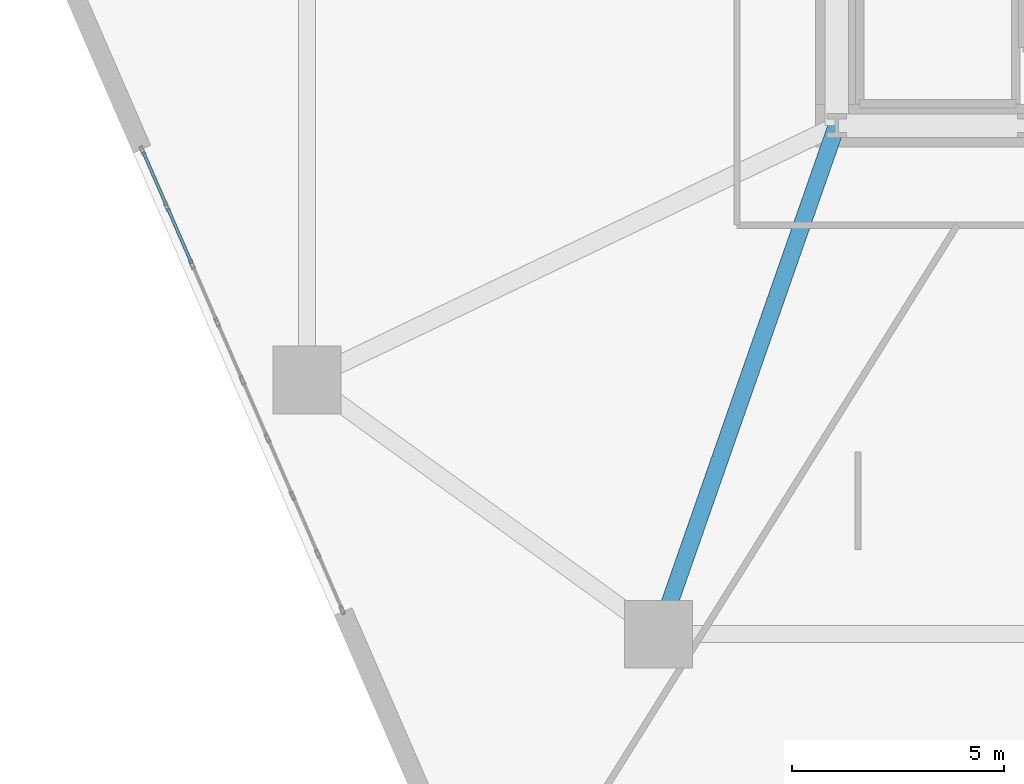
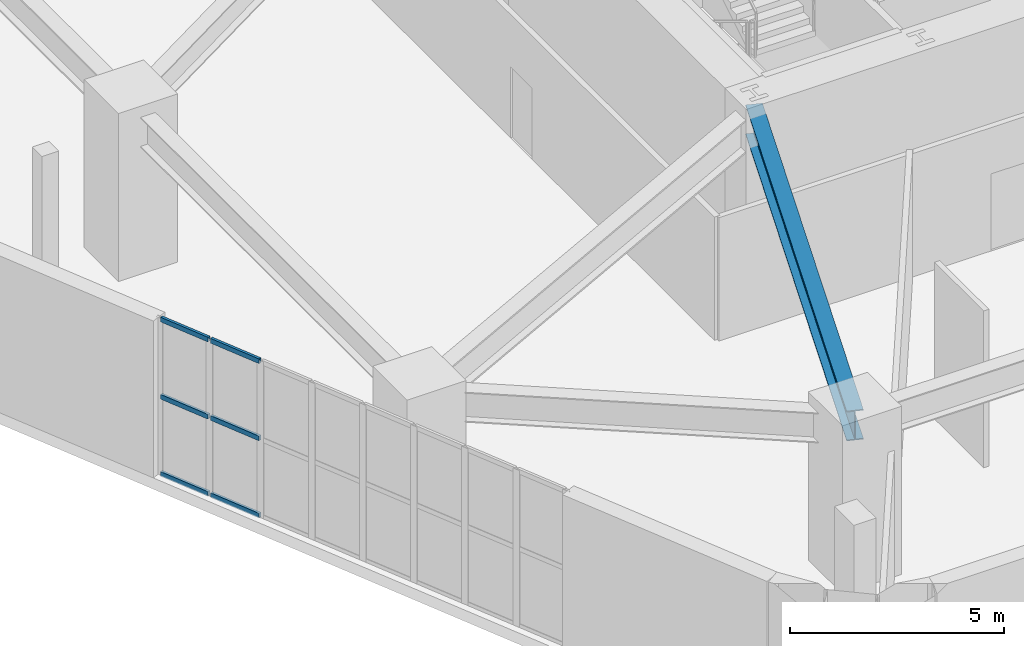
# One storey, part 6 of 17: 6 members, 1 beam, 1 element without a shape of its own.
"""IFC4 building model written with IfcOpenShell, lengths in metres."""

from ifc_helpers import new_model, si_unit, direction, frame, origin, origin_2d, place, context, subcontext, project, spatial, hollow_rectangle, i_section, extrude, material, layer, layer_set, material_profile, profile_set, type_object, element, aggregate, save


model = new_model("IFC4")

# Units and contexts
model_context = context("Model", 3, precision=1e-05, world=origin(), true_north=direction((0.0, 1.0)))
body_context = subcontext(model_context, "Body", "Model", "MODEL_VIEW")
ifc_project = project(units=[si_unit("LENGTHUNIT", "METRE"), si_unit("AREAUNIT", "SQUARE_METRE"), si_unit("VOLUMEUNIT", "CUBIC_METRE"), si_unit("PLANEANGLEUNIT", "RADIAN"), si_unit("MASSUNIT", "GRAM", prefix="KILO")], contexts=[model_context])

# Site, building, storey
site_placement = place(None, origin())
site = spatial("IfcSite", under=ifc_project, at=site_placement, CompositionType="ELEMENT")
building_placement = place(site_placement, origin())
building = spatial("IfcBuilding", under=site, at=building_placement, Name="Kilnhurst Terrace Hotel", CompositionType="ELEMENT")
storey_placement = place(building_placement, frame((0.0, 0.0, 18.60009765625)))
storey = spatial("IfcBuildingStorey", under=building, at=storey_placement, Name="L03", CompositionType="ELEMENT", Elevation=18.60009765625)

# Beam
ifc_material_1 = material(Name="Steel ASTM A992 Grade 50", Category="steel")
ifc_material_profile_1 = material_profile(ifc_material_1, i_section(OverallWidth=0.39990234375, OverallDepth=0.85546875, WebThickness=0.018310546875, FlangeThickness=0.029296875, at=origin_2d()), Name="W33X201")
ifc_profile_set_1 = profile_set([ifc_material_profile_1], Name="Steel ASTM A992 Grade 50")
beam_type = type_object("IfcBeamType", Name="BM-STL-W33X201", PredefinedType="BEAM", material=ifc_profile_set_1)
beam_placement = place(storey_placement, frame((-13.199951171875, -19.5, 4.052001953125), z_axis=(0.330347003279, 0.943859553866, 0.0), x_axis=(-0.943859553866, 0.330347003279, 0.0)))
element("IfcBeam", 1, at=beam_placement, inside=storey, type_object=beam_type, Name="L03 Podium Frame Beam 15", PredefinedType="BEAM", context=body_context, shape_type="SweptSolid", body=[
    extrude(i_section(OverallWidth=0.39990234375, OverallDepth=0.85546875, WebThickness=0.018310546875, FlangeThickness=0.029296875, at=origin_2d()), origin(), (0.0, 0.0, 1.0), 12.7138671875),
])

# Curtain wall, members
ifc_material_2 = material(Name="Anodized Aluminium Alloy 6063-T6 and Low-E Glass", Category="aluminium")
ifc_layer = layer(ifc_material_2, 0.219970703125, Name="Anodized Aluminium Alloy 6063-T6 and Low-E Glass")
ifc_layer_set = layer_set([ifc_layer], Name="Anodized Aluminium Alloy 6063-T6 and Low-E Glass")
curtain_wall_type = type_object("IfcCurtainWallType", Name="CW-POD-TERR", PredefinedType="NOTDEFINED", material=ifc_layer_set)
curtain_wall_placement = place(storey_placement, origin())
curtain_wall = element("IfcCurtainWall", 2, at=curtain_wall_placement, inside=storey, type_object=curtain_wall_type, Name="L03 Curtain Wall CW-L03-F6-1", PredefinedType="NOTDEFINED")
ifc_material_3 = material(Name="Extruded Aluminium Alloy 6063-T6", Category="aluminium")
ifc_material_profile_2 = material_profile(ifc_material_3, hollow_rectangle(XDim=0.070068359375, YDim=0.135009765625, WallThickness=0.00390625, at=origin_2d()), Name="CWT70X135")
ifc_profile_set_2 = profile_set([ifc_material_profile_2], Name="Extruded Aluminium Alloy 6063-T6")
member_type = type_object("IfcMemberType", Name="MEM-CWT70X135", PredefinedType="USERDEFINED", material=ifc_profile_set_2)
member_1_placement = place(storey_placement, frame((-25.363037109375, -8.117919921875, 0.034912109375), z_axis=(0.398835858445, -0.917022332344, 0.0), x_axis=(0.917022332344, 0.398835858445, 0.0)))
member_1 = element("IfcMember", 3, at=member_1_placement, type_object=member_type, Name="CWT-2 transom 1.1", ObjectType="TRANSOM", PredefinedType="USERDEFINED", context=body_context, shape_type="SweptSolid", body=[
    extrude(hollow_rectangle(XDim=0.070068359375, YDim=0.135009765625, WallThickness=0.00390625, at=origin_2d()), origin(), (0.0, 0.0, 1.0), 1.3828125),
])
member_2_placement = place(storey_placement, frame((-25.363037109375, -8.117919921875, 2.239990234375), z_axis=(0.398835858445, -0.917022332344, 0.0), x_axis=(0.917022332344, 0.398835858445, 0.0)))
member_2 = element("IfcMember", 4, at=member_2_placement, type_object=member_type, Name="CWT-2 transom 1.2", ObjectType="TRANSOM", PredefinedType="USERDEFINED", context=body_context, shape_type="SweptSolid", body=[
    extrude(hollow_rectangle(XDim=0.070068359375, YDim=0.135009765625, WallThickness=0.00390625, at=origin_2d()), origin(), (0.0, 0.0, 1.0), 1.3828125),
])
member_3_placement = place(storey_placement, frame((-25.363037109375, -8.117919921875, 4.44482421875), z_axis=(0.398835858445, -0.917022332344, 0.0), x_axis=(0.917022332344, 0.398835858445, 0.0)))
member_3 = element("IfcMember", 5, at=member_3_placement, type_object=member_type, Name="CWT-2 transom 1.3", ObjectType="TRANSOM", PredefinedType="USERDEFINED", context=body_context, shape_type="SweptSolid", body=[
    extrude(hollow_rectangle(XDim=0.070068359375, YDim=0.135009765625, WallThickness=0.00390625, at=origin_2d()), origin(), (0.0, 0.0, 1.0), 1.3828125),
])
member_4_placement = place(storey_placement, frame((-24.78369140625, -9.4501953125, 0.034912109375), z_axis=(0.398839455167, -0.917020768032, 0.0), x_axis=(0.917020768032, 0.398839455167, 0.0)))
member_4 = element("IfcMember", 6, at=member_4_placement, type_object=member_type, Name="CWT-2 transom 2.1", ObjectType="TRANSOM", PredefinedType="USERDEFINED", context=body_context, shape_type="SweptSolid", body=[
    extrude(hollow_rectangle(XDim=0.070068359375, YDim=0.135009765625, WallThickness=0.00390625, at=origin_2d()), origin(), (0.0, 0.0, 1.0), 1.417724609375),
])
member_5_placement = place(storey_placement, frame((-24.78369140625, -9.4501953125, 2.239990234375), z_axis=(0.398839455167, -0.917020768032, 0.0), x_axis=(0.917020768032, 0.398839455167, 0.0)))
member_5 = element("IfcMember", 7, at=member_5_placement, type_object=member_type, Name="CWT-2 transom 2.2", ObjectType="TRANSOM", PredefinedType="USERDEFINED", context=body_context, shape_type="SweptSolid", body=[
    extrude(hollow_rectangle(XDim=0.070068359375, YDim=0.135009765625, WallThickness=0.00390625, at=origin_2d()), origin(), (0.0, 0.0, 1.0), 1.417724609375),
])
member_6_placement = place(storey_placement, frame((-24.78369140625, -9.4501953125, 4.44482421875), z_axis=(0.398839455167, -0.917020768032, 0.0), x_axis=(0.917020768032, 0.398839455167, 0.0)))
member_6 = element("IfcMember", 8, at=member_6_placement, type_object=member_type, Name="CWT-2 transom 2.3", ObjectType="TRANSOM", PredefinedType="USERDEFINED", context=body_context, shape_type="SweptSolid", body=[
    extrude(hollow_rectangle(XDim=0.070068359375, YDim=0.135009765625, WallThickness=0.00390625, at=origin_2d()), origin(), (0.0, 0.0, 1.0), 1.417724609375),
])
aggregate(curtain_wall, [member_1, member_2, member_3, member_4, member_5, member_6])

save(model, "model.ifc")
